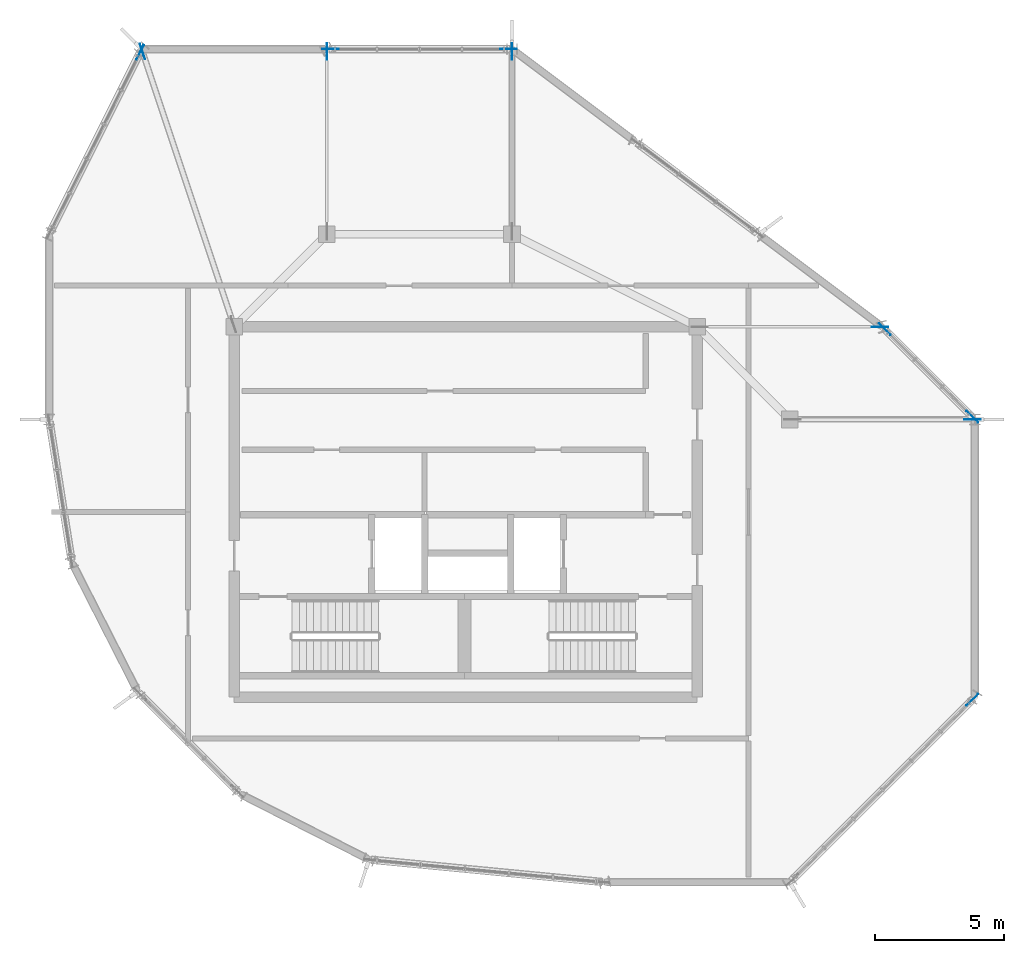
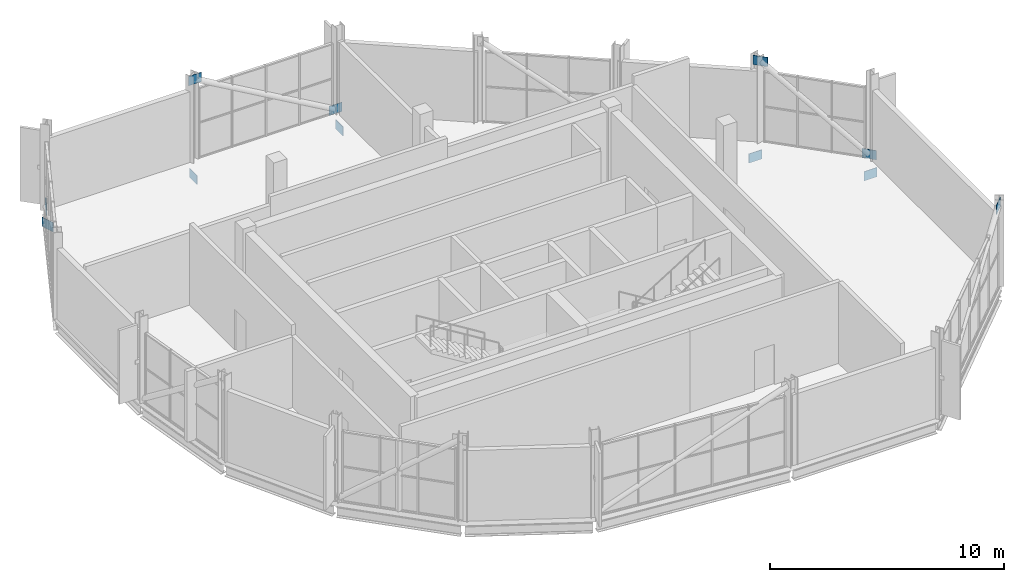
# One storey, part 18 of 22: 11 plates.
"""IFC4 building model written with IfcOpenShell, lengths in metres."""

from ifc_helpers import new_model, si_unit, direction, frame, origin, origin_2d, place, context, subcontext, project, spatial, rectangle, extrude, material, layer, layer_set, type_object, element, save


model = new_model("IFC4")

# Units and contexts
model_context = context("Model", 3, precision=1e-05, world=origin(), true_north=direction((0.0, 1.0)))
body_context = subcontext(model_context, "Body", "Model", "MODEL_VIEW")
ifc_project = project(units=[si_unit("LENGTHUNIT", "METRE"), si_unit("AREAUNIT", "SQUARE_METRE"), si_unit("VOLUMEUNIT", "CUBIC_METRE"), si_unit("PLANEANGLEUNIT", "RADIAN"), si_unit("MASSUNIT", "GRAM", prefix="KILO")], contexts=[model_context])

# Site, building, storey
site_placement = place(None, origin())
site = spatial("IfcSite", under=ifc_project, at=site_placement, CompositionType="ELEMENT")
building_placement = place(site_placement, origin())
building = spatial("IfcBuilding", under=site, at=building_placement, Name="Solnavia Interchange Tower", CompositionType="ELEMENT")
storey_placement = place(building_placement, frame((0.0, 0.0, 317.699951171875)))
storey = spatial("IfcBuildingStorey", under=building, at=storey_placement, Name="C04", CompositionType="ELEMENT", Elevation=317.699951171875)

# Plates
ifc_material = material(Name="Steel S460", Category="steel")
ifc_layer = layer(ifc_material, 0.02490234375)
ifc_layer_set = layer_set([ifc_layer], Name="Steel S460")
plate_type = type_object("IfcPlateType", Name="Plate-Gusset-640x480x25", PredefinedType="USERDEFINED", material=ifc_layer_set)
for number, where, z_axis, x_axis, name in (
    (1, (43.10107421875, 21.698974609375, -0.06005859375), (0.0, 0.0, 1.0), (-0.707106781187, 0.707106781187, 0.0), "PLT-C04-GP01 Crown frame node gusset plate"),
    (2, (39.698974609375, 25.10107421875, 3.920166015625), (0.0, 0.0, 1.0), (-0.707106781187, 0.707106781187, 0.0), "PLT-C04-GP02 Crown frame node gusset plate"),
    (3, (25.06005859375, 36.0, -0.06005859375), (0.0, 0.0, 1.0), (-1.0, 0.0, 0.0), "PLT-C04-GP05 Crown frame node gusset plate"),
    (4, (18.139892578125, 36.0, 3.920166015625), (0.0, 0.0, 1.0), (-1.0, 0.0, 0.0), "PLT-C04-GP06 Crown frame node gusset plate"),
    (5, (10.7373046875, 35.874755859375, -0.06005859375), (0.0, 0.0, 1.0), (-0.447290848419, -0.89438856037, 0.0), "PLT-C04-GP07 Crown frame node gusset plate"),
    (6, (43.10107421875, 10.700927734375, 3.920166015625), (0.0, 0.0, 1.0), (0.707106781187, 0.707106781187, 0.0), "PLT-C04-GP16 Crown frame node gusset plate"),
    (7, (43.10009765625, 21.60009765625, -1.0400390625), (0.0, 0.0, 1.0), (1.0, 0.0, 0.0), "PLT-C04-GP18 Crown collar gusset plate"),
    (8, (39.5, 25.199951171875, -1.0400390625), (0.0, 0.0, 1.0), (1.0, 0.0, 0.0), "PLT-C04-GP20 Crown collar gusset plate"),
    (9, (25.199951171875, 35.89990234375, -1.0400390625), (0.0, 0.0, 1.0), (0.0, 1.0, 0.0), "PLT-C04-GP22 Crown collar gusset plate"),
    (10, (18.0, 35.89990234375, -1.0400390625), (0.0, 0.0, 1.0), (0.0, 1.0, 0.0), "PLT-C04-GP24 Crown collar gusset plate"),
    (11, (10.83154296875, 35.905029296875, -1.0400390625), (0.0, 0.0, 1.0), (-0.316145823974, 0.948710608133, 0.0), "PLT-C04-GP26 Crown collar gusset plate"),
):
    element("IfcPlate", number, at=place(storey_placement, frame(where, z_axis=z_axis, x_axis=x_axis)), inside=storey, type_object=plate_type, Name=name, ObjectType="GUSSET PLATE", PredefinedType="USERDEFINED", context=body_context, shape_type="SweptSolid", body=[
        extrude(rectangle(XDim=0.639892578125, YDim=0.02490234375, at=origin_2d()), origin(), (0.0, 0.0, 1.0), 0.47998046875),
    ])

save(model, "model.ifc")
